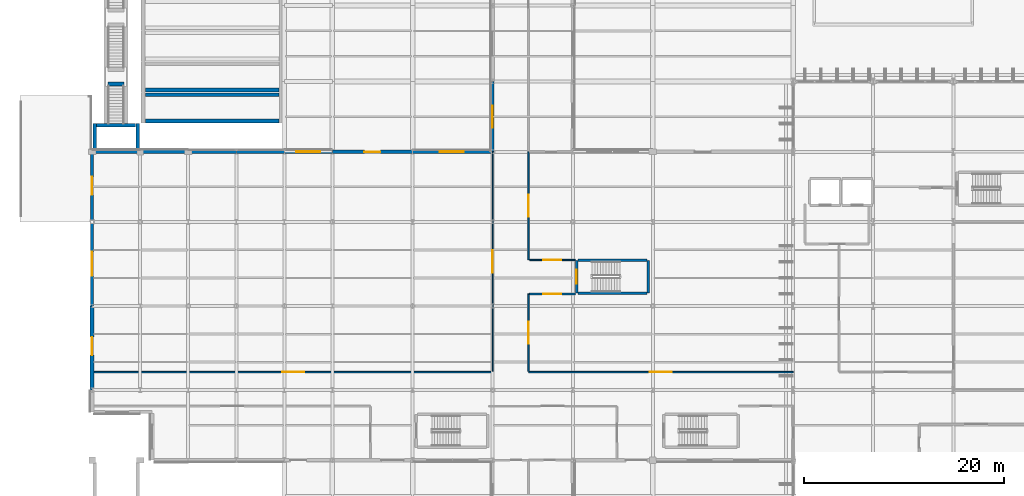
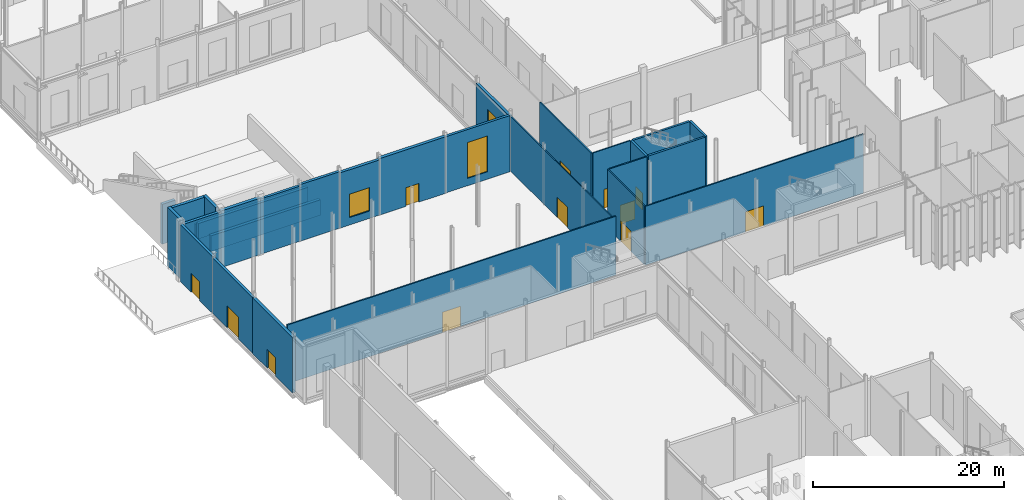
# One storey, part 137 of 176: 29 walls, 12 doors, 3 windows, 15 openings.
"""IFC4 building model written with IfcOpenShell, lengths in metres."""

from ifc_helpers import new_model, si_unit, direction, frame, frame_2d, origin, place, context, subcontext, project, spatial, rectangle, extrude, material, layer, layer_set, type_object, element, fill, save


model = new_model("IFC4")

# Units and contexts
model_context = context("Model", 3, precision=1e-05, world=origin(), true_north=direction((0.0, 1.0)))
body_context = subcontext(model_context, "Body", "Model", "MODEL_VIEW")
ifc_project = project(units=[si_unit("LENGTHUNIT", "METRE"), si_unit("AREAUNIT", "SQUARE_METRE"), si_unit("VOLUMEUNIT", "CUBIC_METRE"), si_unit("PLANEANGLEUNIT", "RADIAN"), si_unit("MASSUNIT", "GRAM", prefix="KILO")], contexts=[model_context])

# Site, building, storey
site_placement = place(None, origin())
site = spatial("IfcSite", under=ifc_project, at=site_placement, CompositionType="ELEMENT")
building_placement = place(site_placement, origin())
building = spatial("IfcBuilding", under=site, at=building_placement, Name="Vekula Escarpment Museum", CompositionType="ELEMENT")
storey_placement = place(building_placement, origin())
storey = spatial("IfcBuildingStorey", under=building, at=storey_placement, Name="L01", CompositionType="ELEMENT", Elevation=0.0)

# Wall, opening, window
ifc_material_1 = material(Name="Inkisi arkosic sandstone masonry", Category="masonry")
ifc_layer_1 = layer(ifc_material_1, 0.300048828125)
ifc_layer_set_1 = layer_set([ifc_layer_1], Name="Inkisi arkosic sandstone masonry")
wall_type_1 = type_object("IfcWallType", Name="WL-ALM-300", PredefinedType="SOLIDWALL", material=ifc_layer_set_1)
wall_1_placement = place(storey_placement, frame((32.0, 83.39990234375, 0.0), z_axis=(0.0, 0.0, 1.0), x_axis=(1.0, 0.0, 0.0)))
wall_1 = element("IfcWall", 1, at=wall_1_placement, inside=storey, type_object=wall_type_1, Name="Exterior Wall WL-EXT-L01-0243", PredefinedType="SOLIDWALL", context=body_context, shape_type="SweptSolid", body=[
    extrude(rectangle(XDim=7.8359375, YDim=0.300048828125, at=frame_2d((3.91796875, 0.0))), origin(), (0.0, 0.0, 1.0), 7.205078125),
])
opening_1_placement = place(wall_1_placement, frame((2.718017578125, 0.0, 0.949951171875)))
opening_1 = element("IfcOpeningElement", 2, at=opening_1_placement, cuts=wall_1, Name="Opening WN-05", PredefinedType="OPENING", context=body_context, shape_type="SweptSolid", body=[
    extrude(rectangle(XDim=2.39990234375, YDim=4.60009765625, at=frame_2d((1.199951171875, 2.300048828125))), frame((0.0, 0.159912109375, 0.0), z_axis=(0.0, -1.0, 0.0), x_axis=(1.0, 0.0, 0.0)), (0.0, 0.0, 1.0), 0.320068359375),
])
ifc_material_2 = material(Name="Double solar-control low-E glass", Category="glass")
window_type_1 = type_object("IfcWindowType", Name="WN-ARCH-24x46", PartitioningType="TRIPLE_PANEL_VERTICAL", PredefinedType="WINDOW", material=ifc_material_2)
window_1_placement = place(opening_1_placement, origin())
window_1 = element("IfcWindow", 3, at=window_1_placement, inside=storey, type_object=window_type_1, Name="Window L01-0101", OverallHeight=4.60009765625, OverallWidth=2.39990234375, PartitioningType="SINGLE_PANEL", PredefinedType="WINDOW", context=body_context, shape_type="SweptSolid", body=[
    extrude(rectangle(XDim=2.39990234375, YDim=4.60009765625, at=frame_2d((1.199951171875, 2.300048828125))), frame((0.0, 0.030029296875, 0.0), z_axis=(0.0, -1.0, 0.0), x_axis=(1.0, 0.0, 0.0)), (0.0, 0.0, 1.0), 0.06005859375),
])
fill(opening_1, window_1)

# Wall
wall_2_placement = place(storey_placement, frame((9.60009765625, 83.39990234375, 0.0), z_axis=(0.0, 0.0, 1.0), x_axis=(1.0, 0.0, 0.0)))
element("IfcWall", 4, at=wall_2_placement, inside=storey, type_object=wall_type_1, Name="Exterior Wall WL-EXT-L01-0247", PredefinedType="SOLIDWALL", context=body_context, shape_type="SweptSolid", body=[
    extrude(rectangle(XDim=4.7998046875, YDim=0.300048828125, at=frame_2d((2.39990234375, 0.0))), origin(), (0.0, 0.0, 1.0), 7.074951171875),
])

# Wall, opening, door
wall_3_placement = place(storey_placement, frame((0.0, 68.0, 0.0), z_axis=(0.0, 0.0, 1.0), x_axis=(0.0, 1.0, 0.0)))
wall_3 = element("IfcWall", 5, at=wall_3_placement, inside=storey, type_object=wall_type_1, Name="Exterior Wall WL-EXT-L01-0251", PredefinedType="SOLIDWALL", context=body_context, shape_type="SweptSolid", body=[
    extrude(rectangle(XDim=8.39990234375, YDim=0.300048828125, at=frame_2d((4.199951171875, 0.0))), origin(), (0.0, 0.0, 1.0), 7.125),
])
opening_2_placement = place(wall_3_placement, frame((3.0, 0.0, 0.0)))
opening_2 = element("IfcOpeningElement", 6, at=opening_2_placement, cuts=wall_3, Name="Opening D-EX14", PredefinedType="OPENING", context=body_context, shape_type="SweptSolid", body=[
    extrude(rectangle(XDim=2.39990234375, YDim=2.800048828125, at=frame_2d((1.199951171875, 1.39990234375))), frame((0.0, 0.159912109375, 0.0), z_axis=(0.0, -1.0, 0.0), x_axis=(1.0, 0.0, 0.0)), (0.0, 0.0, 1.0), 0.320068359375),
])
ifc_material_3 = material(Name="Bronze-anodized glazed exit door", Category="aluminium")
door_type_1 = type_object("IfcDoorType", Name="DR-EX-2400x2800", OperationType="NOTDEFINED", PredefinedType="DOOR", material=ifc_material_3)
door_1_placement = place(opening_2_placement, origin())
door_1 = element("IfcDoor", 7, at=door_1_placement, inside=storey, type_object=door_type_1, Name="Fossil Hall West Exit D-EX14", OperationType="SINGLE_SWING_RIGHT", OverallHeight=2.800048828125, OverallWidth=2.39990234375, PredefinedType="DOOR", context=body_context, shape_type="SweptSolid", body=[
    extrude(rectangle(XDim=2.39990234375, YDim=2.800048828125, at=frame_2d((1.199951171875, 1.39990234375))), frame((0.0, 0.02490234375, 0.0), z_axis=(0.0, -1.0, 0.0), x_axis=(1.0, 0.0, 0.0)), (0.0, 0.0, 1.0), 0.050048828125),
])
fill(opening_2, door_1)

# Wall, opening, window
ifc_material_4 = material(Name="Inkisi arkosic sandstone masonry", Category="masonry")
ifc_layer_2 = layer(ifc_material_4, 0.320068359375)
ifc_layer_set_2 = layer_set([ifc_layer_2], Name="Inkisi arkosic sandstone masonry")
wall_type_2 = type_object("IfcWallType", Name="WL-ALM-320", PredefinedType="SOLIDWALL", material=ifc_layer_set_2)
wall_4_placement = place(storey_placement, frame((40.0, 83.39990234375, 0.0), z_axis=(0.0, 0.0, 1.0), x_axis=(0.0, 1.0, 0.0)))
wall_4 = element("IfcWall", 8, at=wall_4_placement, inside=storey, type_object=wall_type_2, Name="Exterior Wall WL-EXT-L01-0242", PredefinedType="SOLIDWALL", context=body_context, shape_type="SweptSolid", body=[
    extrude(rectangle(XDim=7.0, YDim=0.320068359375, at=frame_2d((3.5, 0.0))), origin(), (0.0, 0.0, 1.0), 7.02490234375),
])
opening_3_placement = place(wall_4_placement, frame((2.39990234375, 0.0, 0.949951171875)))
opening_3 = element("IfcOpeningElement", 9, at=opening_3_placement, cuts=wall_4, Name="Opening WN-04", PredefinedType="OPENING", context=body_context, shape_type="SweptSolid", body=[
    extrude(rectangle(XDim=2.199951171875, YDim=4.199951171875, at=frame_2d((1.10009765625, 2.10009765625))), frame((0.0, 0.169921875, 0.0), z_axis=(0.0, -1.0, 0.0), x_axis=(1.0, 0.0, 0.0)), (0.0, 0.0, 1.0), 0.340087890625),
])
ifc_material_5 = material(Name="Double solar-control low-E glass", Category="glass")
window_type_2 = type_object("IfcWindowType", Name="WN-ARCH-22x42", PartitioningType="DOUBLE_PANEL_VERTICAL", PredefinedType="WINDOW", material=ifc_material_5)
window_2_placement = place(opening_3_placement, origin())
window_2 = element("IfcWindow", 10, at=window_2_placement, inside=storey, type_object=window_type_2, Name="Window L01-0100", OverallHeight=4.199951171875, OverallWidth=2.199951171875, PartitioningType="SINGLE_PANEL", PredefinedType="WINDOW", context=body_context, shape_type="SweptSolid", body=[
    extrude(rectangle(XDim=2.199951171875, YDim=4.199951171875, at=frame_2d((1.10009765625, 2.10009765625))), frame((0.0, 0.030029296875, 0.0), z_axis=(0.0, -1.0, 0.0), x_axis=(1.0, 0.0, 0.0)), (0.0, 0.0, 1.0), 0.06005859375),
])
fill(opening_3, window_2)

# Wall
wall_5_placement = place(storey_placement, frame((14.39990234375, 83.39990234375, 0.0), z_axis=(0.0, 0.0, 1.0), x_axis=(1.0, 0.0, 0.0)))
element("IfcWall", 11, at=wall_5_placement, inside=storey, type_object=wall_type_2, Name="Exterior Wall WL-EXT-L01-0246", PredefinedType="SOLIDWALL", context=body_context, shape_type="SweptSolid", body=[
    extrude(rectangle(XDim=4.800048828125, YDim=0.320068359375, at=frame_2d((2.39990234375, 0.0))), origin(), (0.0, 0.0, 1.0), 7.2451171875),
])

# Wall, opening, door
wall_6_placement = place(storey_placement, frame((0.0, 76.39990234375, 0.0), z_axis=(0.0, 0.0, 1.0), x_axis=(0.0, 1.0, 0.0)))
wall_6 = element("IfcWall", 12, at=wall_6_placement, inside=storey, type_object=wall_type_2, Name="Exterior Wall WL-EXT-L01-0250", PredefinedType="SOLIDWALL", context=body_context, shape_type="SweptSolid", body=[
    extrude(rectangle(XDim=6.821044921875, YDim=0.320068359375, at=frame_2d((3.41064453125, 0.0))), origin(), (0.0, 0.0, 1.0), 7.27490234375),
])
opening_4_placement = place(wall_6_placement, frame((2.699951171875, 0.0, 0.0)))
opening_4 = element("IfcOpeningElement", 13, at=opening_4_placement, cuts=wall_6, Name="Opening D-EX05B", PredefinedType="OPENING", context=body_context, shape_type="SweptSolid", body=[
    extrude(rectangle(XDim=1.800048828125, YDim=2.39990234375, at=frame_2d((0.89990234375, 1.199951171875))), frame((0.0, 0.169921875, 0.0), z_axis=(0.0, -1.0, 0.0), x_axis=(1.0, 0.0, 0.0)), (0.0, 0.0, 1.0), 0.340087890625),
])
ifc_material_6 = material(Name="Powder-coated steel exit door", Category="steel")
door_type_2 = type_object("IfcDoorType", Name="DR-EX-1800x2400", OperationType="NOTDEFINED", PredefinedType="DOOR", material=ifc_material_6)
door_2_placement = place(opening_4_placement, origin())
door_2 = element("IfcDoor", 14, at=door_2_placement, inside=storey, type_object=door_type_2, Name="West Ramp Apron Exit Door D-EX05B", OperationType="SINGLE_SWING_RIGHT", OverallHeight=2.39990234375, OverallWidth=1.800048828125, PredefinedType="DOOR", context=body_context, shape_type="SweptSolid", body=[
    extrude(rectangle(XDim=1.800048828125, YDim=2.39990234375, at=frame_2d((0.89990234375, 1.199951171875))), frame((0.0, 0.02490234375, 0.0), z_axis=(0.0, -1.0, 0.0), x_axis=(1.0, 0.0, 0.0)), (0.0, 0.0, 1.0), 0.050048828125),
])
fill(opening_4, door_2)

# Wall, opening, window
ifc_material_7 = material(Name="Inkisi arkosic sandstone masonry", Category="masonry")
ifc_layer_3 = layer(ifc_material_7, 0.35009765625)
ifc_layer_set_3 = layer_set([ifc_layer_3], Name="Inkisi arkosic sandstone masonry")
wall_type_3 = type_object("IfcWallType", Name="WL-ALM-350", PredefinedType="SOLIDWALL", material=ifc_layer_set_3)
wall_7_placement = place(storey_placement, frame((19.199951171875, 83.39990234375, 0.0), z_axis=(0.0, 0.0, 1.0), x_axis=(1.0, 0.0, 0.0)))
wall_7 = element("IfcWall", 15, at=wall_7_placement, inside=storey, type_object=wall_type_3, Name="Exterior Wall WL-EXT-L01-0245", PredefinedType="SOLIDWALL", context=body_context, shape_type="SweptSolid", body=[
    extrude(rectangle(XDim=4.800048828125, YDim=0.35009765625, at=frame_2d((2.39990234375, 0.0))), origin(), (0.0, 0.0, 1.0), 7.074951171875),
])
opening_5_placement = place(wall_7_placement, frame((1.199951171875, 0.0, 0.949951171875)))
opening_5 = element("IfcOpeningElement", 16, at=opening_5_placement, cuts=wall_7, Name="Opening WN-14", PredefinedType="OPENING", context=body_context, shape_type="SweptSolid", body=[
    extrude(rectangle(XDim=2.39990234375, YDim=3.0, at=frame_2d((1.199951171875, 1.5))), frame((0.0, 0.18505859375, 0.0), z_axis=(0.0, -1.0, 0.0), x_axis=(1.0, 0.0, 0.0)), (0.0, 0.0, 1.0), 0.3701171875),
])
ifc_material_8 = material(Name="Double solar-control low-E glass", Category="glass")
window_type_3 = type_object("IfcWindowType", Name="WN-CAFE-24x30", PartitioningType="TRIPLE_PANEL_VERTICAL", PredefinedType="WINDOW", material=ifc_material_8)
window_3_placement = place(opening_5_placement, origin())
window_3 = element("IfcWindow", 17, at=window_3_placement, inside=storey, type_object=window_type_3, Name="Window L01-0102", OverallHeight=3.0, OverallWidth=2.39990234375, PartitioningType="SINGLE_PANEL", PredefinedType="WINDOW", context=body_context, shape_type="SweptSolid", body=[
    extrude(rectangle(XDim=2.39990234375, YDim=3.0, at=frame_2d((1.199951171875, 1.5))), frame((0.0, 0.030029296875, 0.0), z_axis=(0.0, -1.0, 0.0), x_axis=(1.0, 0.0, 0.0)), (0.0, 0.0, 1.0), 0.06005859375),
])
fill(opening_5, window_3)

# Wall
wall_8_placement = place(storey_placement, frame((0.0, 83.39990234375, 0.0), z_axis=(0.0, 0.0, 1.0), x_axis=(1.0, 0.0, 0.0)))
element("IfcWall", 18, at=wall_8_placement, inside=storey, type_object=wall_type_3, Name="Exterior Wall WL-EXT-L01-0249", PredefinedType="SOLIDWALL", context=body_context, shape_type="SweptSolid", body=[
    extrude(rectangle(XDim=4.800048828125, YDim=0.35009765625, at=frame_2d((2.39990234375, 0.0))), origin(), (0.0, 0.0, 1.0), 7.125),
])

# Wall, opening, door
ifc_material_9 = material(Name="Inkisi arkosic sandstone masonry", Category="masonry")
ifc_layer_4 = layer(ifc_material_9, 0.3798828125)
ifc_layer_set_4 = layer_set([ifc_layer_4], Name="Inkisi arkosic sandstone masonry")
wall_type_4 = type_object("IfcWallType", Name="WL-ALM-380", PredefinedType="SOLIDWALL", material=ifc_layer_set_4)
wall_9_placement = place(storey_placement, frame((24.0, 83.39990234375, 0.0), z_axis=(0.0, 0.0, 1.0), x_axis=(1.0, 0.0, 0.0)))
wall_9 = element("IfcWall", 19, at=wall_9_placement, inside=storey, type_object=wall_type_4, Name="Exterior Wall WL-EXT-L01-0244", PredefinedType="SOLIDWALL", context=body_context, shape_type="SweptSolid", body=[
    extrude(rectangle(XDim=8.0, YDim=0.3798828125, at=frame_2d((4.0, 0.0))), origin(), (0.0, 0.0, 1.0), 7.2451171875),
])
opening_6_placement = place(wall_9_placement, frame((3.199951171875, 0.0, 0.0)))
opening_6 = element("IfcOpeningElement", 20, at=opening_6_placement, cuts=wall_9, Name="Opening D-CY04", PredefinedType="OPENING", context=body_context, shape_type="SweptSolid", body=[
    extrude(rectangle(XDim=1.60009765625, YDim=2.39990234375, at=frame_2d((0.800048828125, 1.199951171875))), frame((0.0, 0.199951171875, 0.0), z_axis=(0.0, -1.0, 0.0), x_axis=(1.0, 0.0, 0.0)), (0.0, 0.0, 1.0), 0.39990234375),
])
ifc_material_10 = material(Name="Thermally broken glazed terrace door", Category="steel")
door_type_3 = type_object("IfcDoorType", Name="DR-TER-1600x2400", OperationType="NOTDEFINED", PredefinedType="DOOR", material=ifc_material_10)
door_3_placement = place(opening_6_placement, origin())
door_3 = element("IfcDoor", 21, at=door_3_placement, inside=storey, type_object=door_type_3, Name="Northwest Plinth Courtyard Door D-CY04", OperationType="SINGLE_SWING_RIGHT", OverallHeight=2.39990234375, OverallWidth=1.60009765625, PredefinedType="DOOR", context=body_context, shape_type="SweptSolid", body=[
    extrude(rectangle(XDim=1.60009765625, YDim=2.39990234375, at=frame_2d((0.800048828125, 1.199951171875))), frame((0.0, 0.02490234375, 0.0), z_axis=(0.0, -1.0, 0.0), x_axis=(1.0, 0.0, 0.0)), (0.0, 0.0, 1.0), 0.050048828125),
])
fill(opening_6, door_3)

# Wall
wall_10_placement = place(storey_placement, frame((4.800048828125, 83.39990234375, 0.0), z_axis=(0.0, 0.0, 1.0), x_axis=(1.0, 0.0, 0.0)))
element("IfcWall", 22, at=wall_10_placement, inside=storey, type_object=wall_type_4, Name="Exterior Wall WL-EXT-L01-0248", PredefinedType="SOLIDWALL", context=body_context, shape_type="SweptSolid", body=[
    extrude(rectangle(XDim=4.800048828125, YDim=0.3798828125, at=frame_2d((2.39990234375, 0.0))), origin(), (0.0, 0.0, 1.0), 7.2451171875),
])

# Wall, opening, door
wall_11_placement = place(storey_placement, frame((0.0, 59.60009765625, 0.0), z_axis=(0.0, 0.0, 1.0), x_axis=(0.0, 1.0, 0.0)))
wall_11 = element("IfcWall", 23, at=wall_11_placement, inside=storey, type_object=wall_type_4, Name="Exterior Wall WL-EXT-L01-0252", PredefinedType="SOLIDWALL", context=body_context, shape_type="SweptSolid", body=[
    extrude(rectangle(XDim=8.39990234375, YDim=0.3798828125, at=frame_2d((4.199951171875, 0.0))), origin(), (0.0, 0.0, 1.0), 7.125),
])
opening_7_placement = place(wall_11_placement, frame((3.5, 0.0, 0.0)))
opening_7 = element("IfcOpeningElement", 24, at=opening_7_placement, cuts=wall_11, Name="Opening D-EX05", PredefinedType="OPENING", context=body_context, shape_type="SweptSolid", body=[
    extrude(rectangle(XDim=1.800048828125, YDim=2.39990234375, at=frame_2d((0.89990234375, 1.199951171875))), frame((0.0, 0.199951171875, 0.0), z_axis=(0.0, -1.0, 0.0), x_axis=(1.0, 0.0, 0.0)), (0.0, 0.0, 1.0), 0.39990234375),
])
door_4_placement = place(opening_7_placement, origin())
door_4 = element("IfcDoor", 25, at=door_4_placement, inside=storey, type_object=door_type_2, Name="West Plinth Exit Door D-EX05", OperationType="SINGLE_SWING_LEFT", OverallHeight=2.39990234375, OverallWidth=1.800048828125, PredefinedType="DOOR", context=body_context, shape_type="SweptSolid", body=[
    extrude(rectangle(XDim=1.800048828125, YDim=2.39990234375, at=frame_2d((0.89990234375, 1.199951171875))), frame((0.0, 0.02490234375, 0.0), z_axis=(0.0, -1.0, 0.0), x_axis=(1.0, 0.0, 0.0)), (0.0, 0.0, 1.0), 0.050048828125),
])
fill(opening_7, door_4)

# Walls
ifc_material_11 = material(Name="Inkisi arkosic sandstone masonry", Category="masonry")
ifc_layer_5 = layer(ifc_material_11, 0.360107421875)
ifc_layer_set_5 = layer_set([ifc_layer_5], Name="Inkisi arkosic sandstone masonry")
wall_type_5 = type_object("IfcWallType", Name="WL-AMP-CHEEK", PredefinedType="SOLIDWALL", material=ifc_layer_set_5)
wall_12_placement = place(storey_placement, frame((1.60009765625, 90.169921875, 0.0), z_axis=(0.0, 0.0, 1.0), x_axis=(1.0, 0.0, 0.0)))
element("IfcWall", 26, at=wall_12_placement, inside=storey, type_object=wall_type_5, Name="Escarpment Plinth Landing Pier Wall ST-AMP-N1-2A", PredefinedType="SOLIDWALL", context=body_context, shape_type="SweptSolid", body=[
    extrude(rectangle(XDim=1.599853515625, YDim=0.360107421875, at=frame_2d((0.7998046875, 0.0))), origin(), (0.0, 0.0, 1.0), 5.1181640625),
])
for number, where, z_axis, x_axis, name in (
    (27, (0.25, 83.64990234375, 0.0), (0.0, 0.0, 1.0), (0.0, 1.0, 0.0), "Stepped Plinth Terrace Wall L01-02"),
    (28, (4.550048828125, 83.64990234375, 0.0), (0.0, 0.0, 1.0), (0.0, 1.0, 0.0), "Stepped Plinth Terrace Wall L01-06"),
):
    element("IfcWall", number, at=place(storey_placement, frame(where, z_axis=z_axis, x_axis=x_axis)), inside=storey, type_object=wall_type_5, Name=name, PredefinedType="SOLIDWALL", context=body_context, shape_type="SweptSolid", body=[
        extrude(rectangle(XDim=2.590087890625, YDim=0.360107421875, at=frame_2d((1.294921875, 0.0))), origin(), (0.0, 0.0, 1.0), 7.580078125),
    ])
wall_13_placement = place(storey_placement, frame((0.449951171875, 86.050048828125, 0.0), z_axis=(0.0, 0.0, 1.0), x_axis=(1.0, 0.0, 0.0)))
element("IfcWall", 29, at=wall_13_placement, inside=storey, type_object=wall_type_5, Name="Stepped Plinth Terrace Wall L01-07", PredefinedType="SOLIDWALL", context=body_context, shape_type="SweptSolid", body=[
    extrude(rectangle(XDim=3.900146484375, YDim=0.360107421875, at=frame_2d((1.9501953125, 0.0))), origin(), (0.0, 0.0, 1.0), 7.580078125),
])
wall_14_placement = place(storey_placement, frame((5.35009765625, 89.570068359375, 0.0), z_axis=(0.0, 0.0, 1.0), x_axis=(1.0, 0.0, 0.0)))
element("IfcWall", 30, at=wall_14_placement, inside=storey, type_object=wall_type_5, Name="Escarpment Plinth Bench Riser Wall 09F", PredefinedType="SOLIDWALL", context=body_context, shape_type="SweptSolid", body=[
    extrude(rectangle(XDim=13.2998046875, YDim=0.360107421875, at=frame_2d((6.64990234375, 0.0))), origin(), (0.0, 0.0, 1.0), 1.550048828125),
])
for number, where, z_axis, x_axis, name in (
    (31, (5.35009765625, 86.469970703125, 0.0), (0.0, 0.0, 1.0), (1.0, 0.0, 0.0), "Escarpment Plinth Bench Riser Wall 10F"),
    (32, (5.35009765625, 89.10009765625, 0.0), (0.0, 0.0, 1.0), (1.0, 0.0, 0.0), "Escarpment Plinth Bench Riser Wall 10B"),
):
    element("IfcWall", number, at=place(storey_placement, frame(where, z_axis=z_axis, x_axis=x_axis)), inside=storey, type_object=wall_type_5, Name=name, PredefinedType="SOLIDWALL", context=body_context, shape_type="SweptSolid", body=[
        extrude(rectangle(XDim=13.2998046875, YDim=0.360107421875, at=frame_2d((6.64990234375, 0.0))), origin(), (0.0, 0.0, 1.0), 2.0),
    ])

# Wall, opening, door
ifc_material_12 = material(Name="Concrete C35/45", Category="concrete")
ifc_layer_6 = layer(ifc_material_12, 0.25)
ifc_layer_set_6 = layer_set([ifc_layer_6], Name="Concrete C35/45")
wall_type_6 = type_object("IfcWallType", Name="WL-CORE-250", PredefinedType="SHEAR", material=ifc_layer_set_6)
wall_15_placement = place(storey_placement, frame((48.375, 69.27490234375, 0.0), z_axis=(0.0, 0.0, 1.0), x_axis=(0.0, 1.0, 0.0)))
wall_15 = element("IfcWall", 33, at=wall_15_placement, inside=storey, type_object=wall_type_6, Name="Stair Core Wall ST-10 L01 W", PredefinedType="SHEAR", context=body_context, shape_type="SweptSolid", body=[
    extrude(rectangle(XDim=3.2900390625, YDim=0.25, at=frame_2d((1.64501953125, 0.0))), origin(), (0.0, 0.0, 1.0), 7.5400390625),
])
opening_8_placement = place(wall_15_placement, frame((0.945068359375, 0.0, 0.0)))
opening_8 = element("IfcOpeningElement", 34, at=opening_8_placement, cuts=wall_15, Name="Opening DR-FD60", PredefinedType="OPENING", context=body_context, shape_type="SweptSolid", body=[
    extrude(rectangle(XDim=1.39990234375, YDim=2.199951171875, at=frame_2d((0.699951171875, 1.10009765625))), frame((0.0, 0.135009765625, 0.0), z_axis=(0.0, -1.0, 0.0), x_axis=(1.0, 0.0, 0.0)), (0.0, 0.0, 1.0), 0.27001953125),
])
ifc_material_13 = material(Name="Fire-rated steel stair door", Category="steel")
door_type_4 = type_object("IfcDoorType", Name="DR-STAIR-1400x2200", OperationType="NOTDEFINED", PredefinedType="DOOR", material=ifc_material_13)
door_5_placement = place(opening_8_placement, origin())
door_5 = element("IfcDoor", 35, at=door_5_placement, inside=storey, type_object=door_type_4, Name="Protected Exit Stair Door ST-10 L01", OperationType="SINGLE_SWING_RIGHT", OverallHeight=2.199951171875, OverallWidth=1.39990234375, PredefinedType="DOOR", context=body_context, shape_type="SweptSolid", body=[
    extrude(rectangle(XDim=1.39990234375, YDim=2.199951171875, at=frame_2d((0.699951171875, 1.10009765625))), frame((0.0, 0.02490234375, 0.0), z_axis=(0.0, -1.0, 0.0), x_axis=(1.0, 0.0, 0.0)), (0.0, 0.0, 1.0), 0.050048828125),
])
fill(opening_8, door_5)

# Walls
wall_16_placement = place(storey_placement, frame((55.52490234375, 69.27490234375, 0.0), z_axis=(0.0, 0.0, 1.0), x_axis=(0.0, 1.0, 0.0)))
element("IfcWall", 36, at=wall_16_placement, inside=storey, type_object=wall_type_6, Name="Stair Core Wall ST-10 L01 E", PredefinedType="SHEAR", context=body_context, shape_type="SweptSolid", body=[
    extrude(rectangle(XDim=3.2900390625, YDim=0.25, at=frame_2d((1.64501953125, 0.0))), origin(), (0.0, 0.0, 1.0), 7.5400390625),
])
for number, where, z_axis, x_axis, name in (
    (37, (48.50390625, 69.27490234375, 0.0), (0.0, 0.0, 1.0), (1.0, 0.0, 0.0), "Stair Core Wall ST-10 L01 S"),
    (38, (48.50390625, 72.56494140625, 0.0), (0.0, 0.0, 1.0), (1.0, 0.0, 0.0), "Stair Core Wall ST-10 L01 N"),
):
    element("IfcWall", number, at=place(storey_placement, frame(where, z_axis=z_axis, x_axis=x_axis)), inside=storey, type_object=wall_type_6, Name=name, PredefinedType="SHEAR", context=body_context, shape_type="SweptSolid", body=[
        extrude(rectangle(XDim=6.89208984375, YDim=0.25, at=frame_2d((3.446044921875, 0.0))), origin(), (0.0, 0.0, 1.0), 7.5400390625),
    ])

# Wall, opening, door
ifc_material_14 = material(Name="Lightweight studio partition", Category="gypsum")
ifc_layer_7 = layer(ifc_material_14, 0.1201171875)
ifc_layer_set_7 = layer_set([ifc_layer_7], Name="Lightweight studio partition")
wall_type_7 = type_object("IfcWallType", Name="WL-PART-120", PredefinedType="PARTITIONING", material=ifc_layer_set_7)
wall_17_placement = place(storey_placement, frame((40.0, 61.48388671875, 0.0), z_axis=(0.0, 0.0, 1.0), x_axis=(0.0, 1.0, 0.0)))
wall_17 = element("IfcWall", 39, at=wall_17_placement, inside=storey, type_object=wall_type_7, Name="Interior Partition WL-INT-L01-0021", PredefinedType="PARTITIONING", context=body_context, shape_type="SweptSolid", body=[
    extrude(rectangle(XDim=21.916015625, YDim=0.1201171875, at=frame_2d((10.9580078125, 0.0))), origin(), (0.0, 0.0, 1.0), 7.02490234375),
])
opening_9_placement = place(wall_17_placement, frame((9.85791015625, 0.0, 0.0)))
opening_9 = element("IfcOpeningElement", 40, at=opening_9_placement, cuts=wall_17, Name="Opening DR-GL22", PredefinedType="OPENING", context=body_context, shape_type="SweptSolid", body=[
    extrude(rectangle(XDim=2.199951171875, YDim=2.60009765625, at=frame_2d((1.10009765625, 1.300048828125))), frame((0.0, 0.070068359375, 0.0), z_axis=(0.0, -1.0, 0.0), x_axis=(1.0, 0.0, 0.0)), (0.0, 0.0, 1.0), 0.14013671875),
])
ifc_material_15 = material(Name="Double acoustic timber gallery door", Category="wood")
door_type_5 = type_object("IfcDoorType", Name="DR-GAL-2200x2600", OperationType="NOTDEFINED", PredefinedType="DOOR", material=ifc_material_15)
door_6_placement = place(opening_9_placement, origin())
door_6 = element("IfcDoor", 41, at=door_6_placement, inside=storey, type_object=door_type_5, Name="Interior Door L01-019", OperationType="SINGLE_SWING_RIGHT", OverallHeight=2.60009765625, OverallWidth=2.199951171875, PredefinedType="DOOR", context=body_context, shape_type="SweptSolid", body=[
    extrude(rectangle(XDim=2.199951171875, YDim=2.60009765625, at=frame_2d((1.10009765625, 1.300048828125))), frame((0.0, 0.02490234375, 0.0), z_axis=(0.0, -1.0, 0.0), x_axis=(1.0, 0.0, 0.0)), (0.0, 0.0, 1.0), 0.050048828125),
])
fill(opening_9, door_6)

wall_18_placement = place(storey_placement, frame((43.68408203125, 72.60009765625, 0.0), z_axis=(0.0, 0.0, 1.0), x_axis=(1.0, 0.0, 0.0)))
wall_18 = element("IfcWall", 42, at=wall_18_placement, inside=storey, type_object=wall_type_7, Name="Interior Partition WL-INT-L01-0024", PredefinedType="PARTITIONING", context=body_context, shape_type="SweptSolid", body=[
    extrude(rectangle(XDim=4.56591796875, YDim=0.1201171875, at=frame_2d((2.282958984375, 0.0))), origin(), (0.0, 0.0, 1.0), 7.5400390625),
])
opening_10_placement = place(wall_18_placement, frame((1.383056640625, 0.0, 0.0)))
opening_10 = element("IfcOpeningElement", 43, at=opening_10_placement, cuts=wall_18, Name="Opening DR-GL18", PredefinedType="OPENING", context=body_context, shape_type="SweptSolid", body=[
    extrude(rectangle(XDim=1.800048828125, YDim=2.39990234375, at=frame_2d((0.89990234375, 1.199951171875))), frame((0.0, 0.070068359375, 0.0), z_axis=(0.0, -1.0, 0.0), x_axis=(1.0, 0.0, 0.0)), (0.0, 0.0, 1.0), 0.14013671875),
])
ifc_material_16 = material(Name="Double glazed gallery portal door", Category="steel")
door_type_6 = type_object("IfcDoorType", Name="DR-GAL-1800x2400", OperationType="NOTDEFINED", PredefinedType="DOOR", material=ifc_material_16)
door_7_placement = place(opening_10_placement, origin())
door_7 = element("IfcDoor", 44, at=door_7_placement, inside=storey, type_object=door_type_6, Name="Interior Door L01-022", OperationType="SINGLE_SWING_LEFT", OverallHeight=2.39990234375, OverallWidth=1.800048828125, PredefinedType="DOOR", context=body_context, shape_type="SweptSolid", body=[
    extrude(rectangle(XDim=1.800048828125, YDim=2.39990234375, at=frame_2d((0.89990234375, 1.199951171875))), frame((0.0, 0.02490234375, 0.0), z_axis=(0.0, -1.0, 0.0), x_axis=(1.0, 0.0, 0.0)), (0.0, 0.0, 1.0), 0.050048828125),
])
fill(opening_10, door_7)

ifc_material_17 = material(Name="Gypsum board dry-lined partition", Category="gypsum")
ifc_layer_8 = layer(ifc_material_17, 0.14990234375)
ifc_layer_set_8 = layer_set([ifc_layer_8], Name="Gypsum board dry-lined partition")
wall_type_8 = type_object("IfcWallType", Name="WL-PART-150", PredefinedType="PARTITIONING", material=ifc_layer_set_8)
wall_19_placement = place(storey_placement, frame((43.60009765625, 61.39990234375, 0.0), z_axis=(0.0, 0.0, 1.0), x_axis=(1.0, 0.0, 0.0)))
wall_19 = element("IfcWall", 45, at=wall_19_placement, inside=storey, type_object=wall_type_8, Name="Interior Partition WL-INT-L01-0017", PredefinedType="PARTITIONING", context=body_context, shape_type="SweptSolid", body=[
    extrude(rectangle(XDim=26.39990234375, YDim=0.14990234375, at=frame_2d((13.199951171875, 0.0))), origin(), (0.0, 0.0, 1.0), 7.5400390625),
])
opening_11_placement = place(wall_19_placement, frame((12.10009765625, 0.0, 0.0)))
opening_11 = element("IfcOpeningElement", 46, at=opening_11_placement, cuts=wall_19, Name="Opening DR-GL22", PredefinedType="OPENING", context=body_context, shape_type="SweptSolid", body=[
    extrude(rectangle(XDim=2.199951171875, YDim=2.60009765625, at=frame_2d((1.10009765625, 1.300048828125))), frame((0.0, 0.0849609375, 0.0), z_axis=(0.0, -1.0, 0.0), x_axis=(1.0, 0.0, 0.0)), (0.0, 0.0, 1.0), 0.169921875),
])
door_8_placement = place(opening_11_placement, origin())
door_8 = element("IfcDoor", 47, at=door_8_placement, inside=storey, type_object=door_type_5, Name="Interior Door L01-015", OperationType="SINGLE_SWING_RIGHT", OverallHeight=2.60009765625, OverallWidth=2.199951171875, PredefinedType="DOOR", context=body_context, shape_type="SweptSolid", body=[
    extrude(rectangle(XDim=2.199951171875, YDim=2.60009765625, at=frame_2d((1.10009765625, 1.300048828125))), frame((0.0, 0.02490234375, 0.0), z_axis=(0.0, -1.0, 0.0), x_axis=(1.0, 0.0, 0.0)), (0.0, 0.0, 1.0), 0.050048828125),
])
fill(opening_11, door_8)

wall_20_placement = place(storey_placement, frame((43.60009765625, 61.47900390625, 0.0), z_axis=(0.0, 0.0, 1.0), x_axis=(0.0, 1.0, 0.0)))
wall_20 = element("IfcWall", 48, at=wall_20_placement, inside=storey, type_object=wall_type_8, Name="Interior Partition WL-INT-L01-0023", PredefinedType="PARTITIONING", context=body_context, shape_type="SweptSolid", body=[
    extrude(rectangle(XDim=7.720947265625, YDim=0.14990234375, at=frame_2d((3.8603515625, 0.0))), origin(), (0.0, 0.0, 1.0), 7.5400390625),
])
opening_12_placement = place(wall_20_placement, frame((2.760498046875, 0.0, 0.0)))
opening_12 = element("IfcOpeningElement", 49, at=opening_12_placement, cuts=wall_20, Name="Opening DR-GL22", PredefinedType="OPENING", context=body_context, shape_type="SweptSolid", body=[
    extrude(rectangle(XDim=2.199951171875, YDim=2.60009765625, at=frame_2d((1.10009765625, 1.300048828125))), frame((0.0, 0.0849609375, 0.0), z_axis=(0.0, -1.0, 0.0), x_axis=(1.0, 0.0, 0.0)), (0.0, 0.0, 1.0), 0.169921875),
])
door_9_placement = place(opening_12_placement, origin())
door_9 = element("IfcDoor", 50, at=door_9_placement, inside=storey, type_object=door_type_5, Name="Interior Door L01-021", OperationType="SINGLE_SWING_RIGHT", OverallHeight=2.60009765625, OverallWidth=2.199951171875, PredefinedType="DOOR", context=body_context, shape_type="SweptSolid", body=[
    extrude(rectangle(XDim=2.199951171875, YDim=2.60009765625, at=frame_2d((1.10009765625, 1.300048828125))), frame((0.0, 0.02490234375, 0.0), z_axis=(0.0, -1.0, 0.0), x_axis=(1.0, 0.0, 0.0)), (0.0, 0.0, 1.0), 0.050048828125),
])
fill(opening_12, door_9)

ifc_material_18 = material(Name="Gypsum board gallery partition", Category="gypsum")
ifc_layer_9 = layer(ifc_material_18, 0.159912109375)
ifc_layer_set_9 = layer_set([ifc_layer_9], Name="Gypsum board gallery partition")
wall_type_9 = type_object("IfcWallType", Name="WL-PART-160", PredefinedType="PARTITIONING", material=ifc_layer_set_9)
wall_21_placement = place(storey_placement, frame((0.194091796875, 61.39990234375, 0.0), z_axis=(0.0, 0.0, 1.0), x_axis=(1.0, 0.0, 0.0)))
wall_21 = element("IfcWall", 51, at=wall_21_placement, inside=storey, type_object=wall_type_9, Name="Interior Partition WL-INT-L01-0016", PredefinedType="PARTITIONING", context=body_context, shape_type="SweptSolid", body=[
    extrude(rectangle(XDim=39.805908203125, YDim=0.159912109375, at=frame_2d((19.90283203125, 0.0))), origin(), (0.0, 0.0, 1.0), 7.5400390625),
])
opening_13_placement = place(wall_21_placement, frame((18.802978515625, 0.0, 0.0)))
opening_13 = element("IfcOpeningElement", 52, at=opening_13_placement, cuts=wall_21, Name="Opening DR-GL22", PredefinedType="OPENING", context=body_context, shape_type="SweptSolid", body=[
    extrude(rectangle(XDim=2.199951171875, YDim=2.60009765625, at=frame_2d((1.10009765625, 1.300048828125))), frame((0.0, 0.08984375, 0.0), z_axis=(0.0, -1.0, 0.0), x_axis=(1.0, 0.0, 0.0)), (0.0, 0.0, 1.0), 0.179931640625),
])
door_10_placement = place(opening_13_placement, origin())
door_10 = element("IfcDoor", 53, at=door_10_placement, inside=storey, type_object=door_type_5, Name="Interior Door L01-014", OperationType="SINGLE_SWING_LEFT", OverallHeight=2.60009765625, OverallWidth=2.199951171875, PredefinedType="DOOR", context=body_context, shape_type="SweptSolid", body=[
    extrude(rectangle(XDim=2.199951171875, YDim=2.60009765625, at=frame_2d((1.10009765625, 1.300048828125))), frame((0.0, 0.02490234375, 0.0), z_axis=(0.0, -1.0, 0.0), x_axis=(1.0, 0.0, 0.0)), (0.0, 0.0, 1.0), 0.050048828125),
])
fill(opening_13, door_10)

wall_22_placement = place(storey_placement, frame((43.60009765625, 72.60009765625, 0.0), z_axis=(0.0, 0.0, 1.0), x_axis=(0.0, 1.0, 0.0)))
wall_22 = element("IfcWall", 54, at=wall_22_placement, inside=storey, type_object=wall_type_9, Name="Interior Partition WL-INT-L01-0022", PredefinedType="PARTITIONING", context=body_context, shape_type="SweptSolid", body=[
    extrude(rectangle(XDim=10.7998046875, YDim=0.159912109375, at=frame_2d((5.39990234375, 0.0))), origin(), (0.0, 0.0, 1.0), 7.5400390625),
])
opening_14_placement = place(wall_22_placement, frame((4.300048828125, 0.0, 0.0)))
opening_14 = element("IfcOpeningElement", 55, at=opening_14_placement, cuts=wall_22, Name="Opening DR-GL22", PredefinedType="OPENING", context=body_context, shape_type="SweptSolid", body=[
    extrude(rectangle(XDim=2.199951171875, YDim=2.60009765625, at=frame_2d((1.10009765625, 1.300048828125))), frame((0.0, 0.08984375, 0.0), z_axis=(0.0, -1.0, 0.0), x_axis=(1.0, 0.0, 0.0)), (0.0, 0.0, 1.0), 0.179931640625),
])
door_11_placement = place(opening_14_placement, origin())
door_11 = element("IfcDoor", 56, at=door_11_placement, inside=storey, type_object=door_type_5, Name="Interior Door L01-020", OperationType="SINGLE_SWING_LEFT", OverallHeight=2.60009765625, OverallWidth=2.199951171875, PredefinedType="DOOR", context=body_context, shape_type="SweptSolid", body=[
    extrude(rectangle(XDim=2.199951171875, YDim=2.60009765625, at=frame_2d((1.10009765625, 1.300048828125))), frame((0.0, 0.02490234375, 0.0), z_axis=(0.0, -1.0, 0.0), x_axis=(1.0, 0.0, 0.0)), (0.0, 0.0, 1.0), 0.050048828125),
])
fill(opening_14, door_11)

wall_23_placement = place(storey_placement, frame((43.678955078125, 69.199951171875, 0.0), z_axis=(0.0, 0.0, 1.0), x_axis=(1.0, 0.0, 0.0)))
wall_23 = element("IfcWall", 57, at=wall_23_placement, inside=storey, type_object=wall_type_9, Name="Interior Partition WL-INT-L01-0025", PredefinedType="PARTITIONING", context=body_context, shape_type="SweptSolid", body=[
    extrude(rectangle(XDim=4.571044921875, YDim=0.159912109375, at=frame_2d((2.28564453125, 0.0))), origin(), (0.0, 0.0, 1.0), 7.5400390625),
])
opening_15_placement = place(wall_23_placement, frame((1.385498046875, 0.0, 0.0)))
opening_15 = element("IfcOpeningElement", 58, at=opening_15_placement, cuts=wall_23, Name="Opening DR-GL18", PredefinedType="OPENING", context=body_context, shape_type="SweptSolid", body=[
    extrude(rectangle(XDim=1.800048828125, YDim=2.39990234375, at=frame_2d((0.89990234375, 1.199951171875))), frame((0.0, 0.08984375, 0.0), z_axis=(0.0, -1.0, 0.0), x_axis=(1.0, 0.0, 0.0)), (0.0, 0.0, 1.0), 0.179931640625),
])
door_12_placement = place(opening_15_placement, origin())
door_12 = element("IfcDoor", 59, at=door_12_placement, inside=storey, type_object=door_type_6, Name="Interior Door L01-023", OperationType="SINGLE_SWING_RIGHT", OverallHeight=2.39990234375, OverallWidth=1.800048828125, PredefinedType="DOOR", context=body_context, shape_type="SweptSolid", body=[
    extrude(rectangle(XDim=1.800048828125, YDim=2.39990234375, at=frame_2d((0.89990234375, 1.199951171875))), frame((0.0, 0.02490234375, 0.0), z_axis=(0.0, -1.0, 0.0), x_axis=(1.0, 0.0, 0.0)), (0.0, 0.0, 1.0), 0.050048828125),
])
fill(opening_15, door_12)

save(model, "model.ifc")
